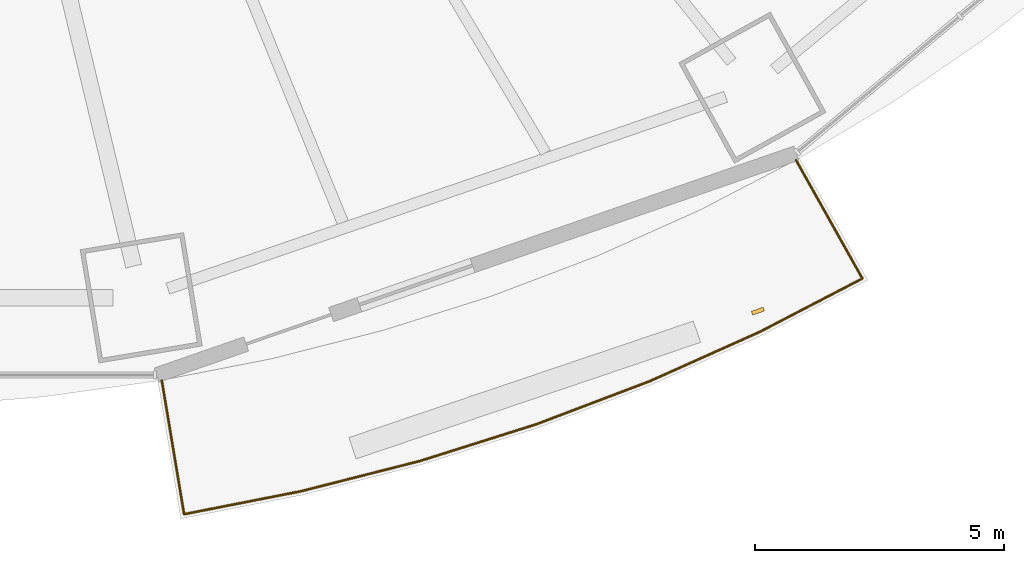
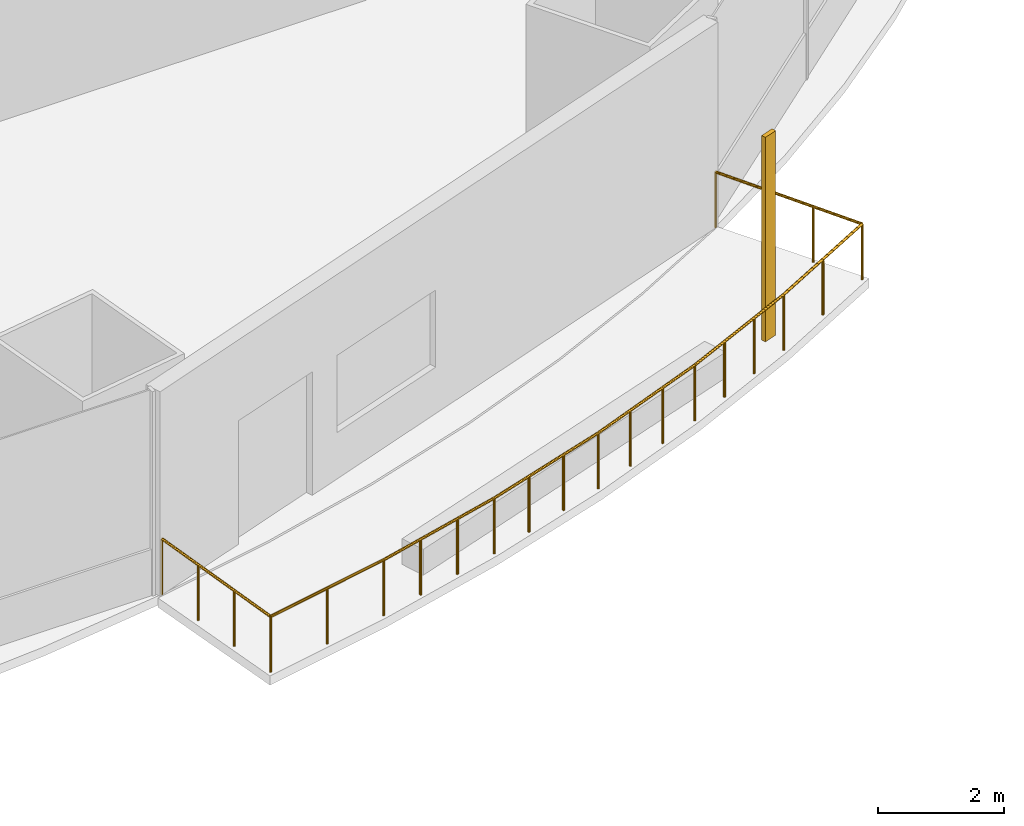
# One storey, part 18 of 22: 1 railing, 1 shading device.
"""IFC4 building model written with IfcOpenShell, lengths in metres."""

from ifc_helpers import new_model, si_unit, direction, frame, origin, origin_2d, place, context, subcontext, project, spatial, rectangle, circle, extrude, material, material_profile, profile_set, type_object, element, save


model = new_model("IFC4")

# Units and contexts
model_context = context("Model", 3, precision=1e-05, world=origin(), true_north=direction((0.0, 1.0)))
body_context = subcontext(model_context, "Body", "Model", "MODEL_VIEW")
ifc_project = project(units=[si_unit("LENGTHUNIT", "METRE"), si_unit("AREAUNIT", "SQUARE_METRE"), si_unit("VOLUMEUNIT", "CUBIC_METRE"), si_unit("PLANEANGLEUNIT", "RADIAN"), si_unit("MASSUNIT", "GRAM", prefix="KILO")], contexts=[model_context])

# Site, building, storey
site_placement = place(None, origin())
site = spatial("IfcSite", under=ifc_project, at=site_placement, CompositionType="ELEMENT")
building_placement = place(site_placement, origin())
building = spatial("IfcBuilding", under=site, at=building_placement, Name="Marenthal Gate Tower", CompositionType="ELEMENT")
storey_placement = place(building_placement, frame((0.0, 0.0, 74.5)))
storey = spatial("IfcBuildingStorey", under=building, at=storey_placement, Name="L14", CompositionType="ELEMENT", Elevation=74.5)

# Railing
ifc_material_1 = material(Name="Stainless steel", Category="steel")
railing_type = type_object("IfcRailingType", Name="Balcony guard 1100", PredefinedType="GUARDRAIL", material=ifc_material_1)
railing_placement = place(storey_placement, frame((19.7490234375, -24.9033203125, 0.0)))
element("IfcRailing", 1, at=railing_placement, inside=storey, type_object=railing_type, Name="Balcony guard L14 bay 13", PredefinedType="GUARDRAIL", context=body_context, shape_type="SweptSolid", body=[
    extrude(circle(Radius=0.02392578125, at=origin_2d()), frame((0.0, 0.0, 1.076171875), z_axis=(0.488916588254, -0.872206373208, -0.014717753391), x_axis=(0.872300853857, 0.488969549523, 0.0)), (0.0, 0.0, 1.0), 2.720458984375),
    extrude(circle(Radius=0.02392578125, at=origin_2d()), frame((1.330078125, -2.372802734375, 1.0361328125), z_axis=(-0.887259903965, -0.461269837314, 0.0), x_axis=(0.461269837314, -0.887259903965, 0.0)), (0.0, 0.0, 1.0), 2.318359375),
    extrude(circle(Radius=0.02392578125, at=origin_2d()), frame((-0.726806640625, -3.442138671875, 1.0361328125), z_axis=(-0.91254444095, -0.408977558419, 0.0), x_axis=(0.408977558419, -0.91254444095, 0.0)), (0.0, 0.0, 1.0), 2.415771484375),
    extrude(circle(Radius=0.02392578125, at=origin_2d()), frame((-2.931396484375, -4.43017578125, 1.0361328125), z_axis=(-0.934822913626, -0.355114235366, 0.0), x_axis=(0.355114235366, -0.934822913626, 0.0)), (0.0, 0.0, 1.0), 2.431640625),
    extrude(circle(Radius=0.02392578125, at=origin_2d()), frame((-5.20458984375, -5.293701171875, 1.0361328125), z_axis=(-0.953650519342, -0.300916411912, 0.0), x_axis=(0.300916411912, -0.953650519342, 0.0)), (0.0, 0.0, 1.0), 2.446044921875),
    extrude(circle(Radius=0.02392578125, at=origin_2d()), frame((-7.537353515625, -6.02978515625, 1.0361328125), z_axis=(-0.969164913017, -0.246413009756, 0.0), x_axis=(0.246413009756, -0.969164913017, 0.0)), (0.0, 0.0, 1.0), 2.4580078125),
    extrude(circle(Radius=0.02392578125, at=origin_2d()), frame((-9.919677734375, -6.635498046875, 1.0361328125), z_axis=(-0.981255035118, -0.192713663388, 0.0), x_axis=(0.192713663388, -0.981255035118, 0.0)), (0.0, 0.0, 1.0), 2.387939453125),
    extrude(circle(Radius=0.02392578125, at=origin_2d()), frame((-12.262939453125, -7.095703125, 1.0361328125), z_axis=(-0.164599482451, 0.986250661205, 0.014718819587), x_axis=(-0.986357511038, -0.164617315064, 0.0)), (0.0, 0.0, 1.0), 2.72021484375),
    extrude(circle(Radius=0.02099609375, at=origin_2d()), origin(), (0.0, 0.0, 1.0), 1.052001953125),
    extrude(circle(Radius=0.02099609375, at=origin_2d()), frame((0.443359375, -0.791015625, -0.013427734375)), (0.0, 0.0, 1.0), 1.052001953125),
    extrude(circle(Radius=0.02099609375, at=origin_2d()), frame((0.88671875, -1.581787109375, -0.026611328125)), (0.0, 0.0, 1.0), 1.052001953125),
    extrude(circle(Radius=0.02099609375, at=origin_2d()), frame((1.330078125, -2.372802734375, -0.0400390625)), (0.0, 0.0, 1.0), 1.052001953125),
    extrude(circle(Radius=0.02099609375, at=origin_2d()), frame((0.3017578125, -2.907470703125, -0.0400390625)), (0.0, 0.0, 1.0), 1.052001953125),
    extrude(circle(Radius=0.02099609375, at=origin_2d()), frame((-0.726806640625, -3.442138671875, -0.0400390625)), (0.0, 0.0, 1.0), 1.052001953125),
    extrude(circle(Radius=0.02099609375, at=origin_2d()), frame((-1.461669921875, -3.771484375, -0.0400390625)), (0.0, 0.0, 1.0), 1.052001953125),
    extrude(circle(Radius=0.02099609375, at=origin_2d()), frame((-2.196533203125, -4.100830078125, -0.0400390625)), (0.0, 0.0, 1.0), 1.052001953125),
    extrude(circle(Radius=0.02099609375, at=origin_2d()), frame((-2.931396484375, -4.43017578125, -0.0400390625)), (0.0, 0.0, 1.0), 1.052001953125),
    extrude(circle(Radius=0.02099609375, at=origin_2d()), frame((-3.689208984375, -4.718017578125, -0.0400390625)), (0.0, 0.0, 1.0), 1.052001953125),
    extrude(circle(Radius=0.02099609375, at=origin_2d()), frame((-4.44677734375, -5.005859375, -0.0400390625)), (0.0, 0.0, 1.0), 1.052001953125),
    extrude(circle(Radius=0.02099609375, at=origin_2d()), frame((-5.20458984375, -5.293701171875, -0.0400390625)), (0.0, 0.0, 1.0), 1.052001953125),
    extrude(circle(Radius=0.02099609375, at=origin_2d()), frame((-5.982177734375, -5.5390625, -0.0400390625)), (0.0, 0.0, 1.0), 1.052001953125),
    extrude(circle(Radius=0.02099609375, at=origin_2d()), frame((-6.759765625, -5.784423828125, -0.0400390625)), (0.0, 0.0, 1.0), 1.052001953125),
    extrude(circle(Radius=0.02099609375, at=origin_2d()), frame((-7.537353515625, -6.02978515625, -0.0400390625)), (0.0, 0.0, 1.0), 1.052001953125),
    extrude(circle(Radius=0.02099609375, at=origin_2d()), frame((-8.33154296875, -6.231689453125, -0.0400390625)), (0.0, 0.0, 1.0), 1.052001953125),
    extrude(circle(Radius=0.02099609375, at=origin_2d()), frame((-9.12548828125, -6.43359375, -0.0400390625)), (0.0, 0.0, 1.0), 1.052001953125),
    extrude(circle(Radius=0.02099609375, at=origin_2d()), frame((-9.919677734375, -6.635498046875, -0.0400390625)), (0.0, 0.0, 1.0), 1.052001953125),
    extrude(circle(Radius=0.02099609375, at=origin_2d()), frame((-11.09130859375, -6.86572265625, -0.0400390625)), (0.0, 0.0, 1.0), 1.052001953125),
    extrude(circle(Radius=0.02099609375, at=origin_2d()), frame((-12.262939453125, -7.095703125, -0.0400390625)), (0.0, 0.0, 1.0), 1.052001953125),
    extrude(circle(Radius=0.02099609375, at=origin_2d()), frame((-12.412109375, -6.201416015625, -0.026611328125)), (0.0, 0.0, 1.0), 1.052001953125),
    extrude(circle(Radius=0.02099609375, at=origin_2d()), frame((-12.5615234375, -5.30712890625, -0.013427734375)), (0.0, 0.0, 1.0), 1.052001953125),
    extrude(circle(Radius=0.02099609375, at=origin_2d()), frame((-12.710693359375, -4.412841796875, 0.0)), (0.0, 0.0, 1.0), 1.052001953125),
])

# Shading device
ifc_material_2 = material(Name="Terracotta", Category="masonry")
ifc_material_profile = material_profile(ifc_material_2, rectangle(XDim=0.25, YDim=0.080078125, at=origin_2d()), Name="Terracotta baguette 250x80")
ifc_profile_set = profile_set([ifc_material_profile], Name="Terracotta")
shading_device_type = type_object("IfcShadingDeviceType", Name="Terracotta BAGUETTE SCREEN 250x80", PredefinedType="USERDEFINED", material=ifc_profile_set)
shading_device_placement = place(storey_placement, frame((18.984375, -27.93017578125, -0.0400390625), z_axis=(0.0, 0.0, 1.0), x_axis=(0.944656596613, 0.328060839595, 0.0)))
element("IfcShadingDevice", 2, at=shading_device_placement, inside=storey, type_object=shading_device_type, Name="Terracotta BAGUETTE L14 bay 13R", ObjectType="BAGUETTE SCREEN", PredefinedType="USERDEFINED", context=body_context, shape_type="SweptSolid", body=[
    extrude(rectangle(XDim=0.25, YDim=0.080078125, at=origin_2d()), origin(), (0.0, 0.0, 1.0), 3.969970703125),
])

save(model, "model.ifc")
